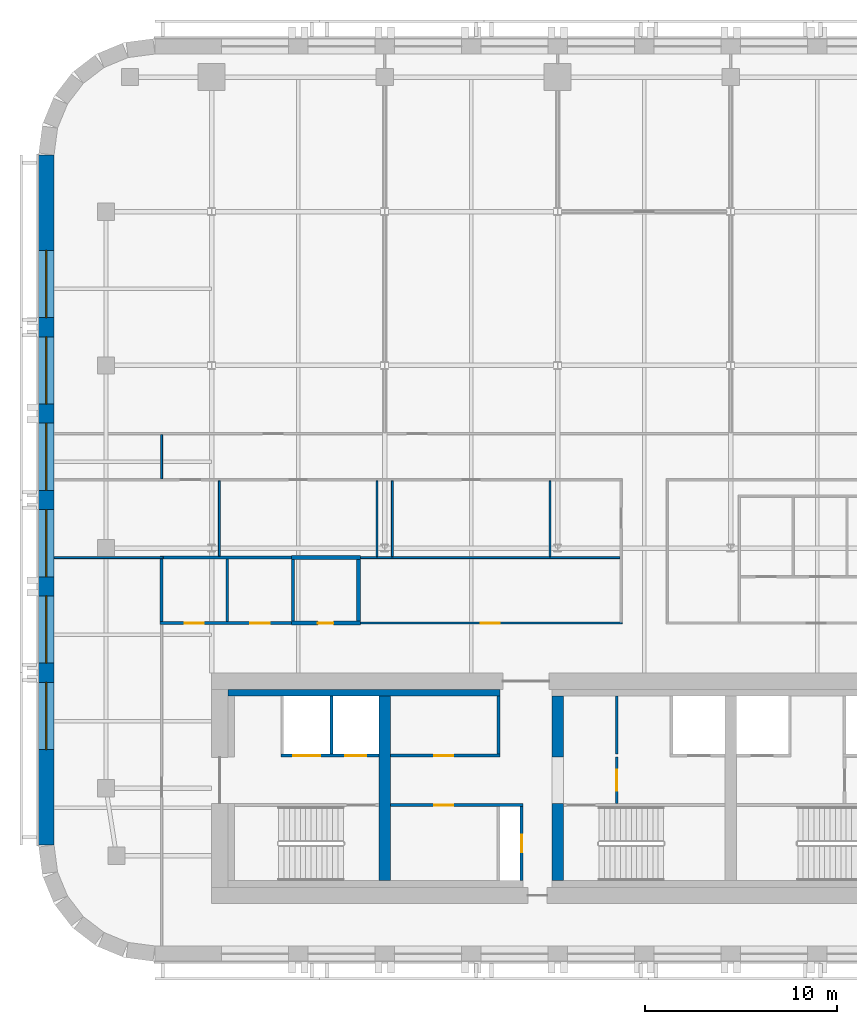
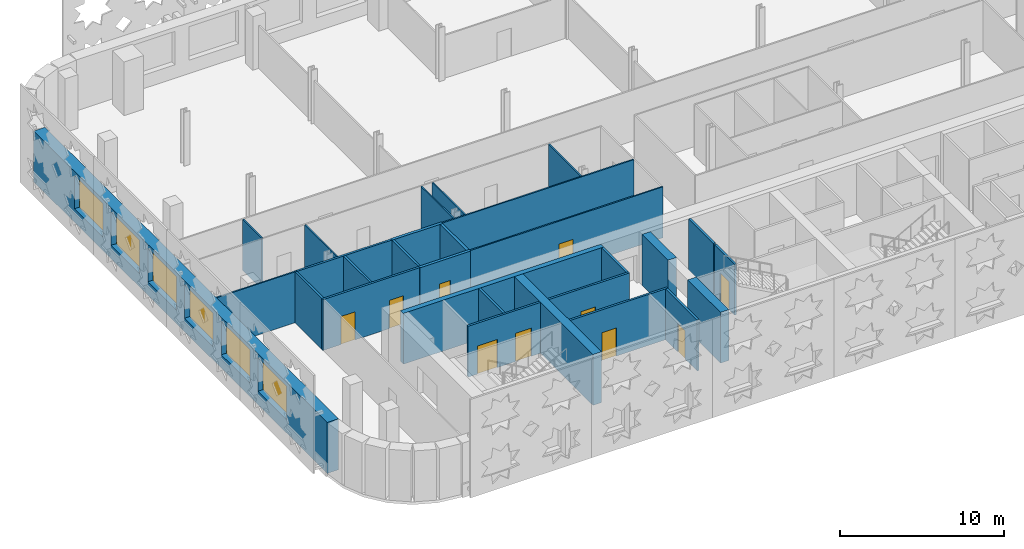
# One storey, part 3 of 12: 29 walls, 10 doors, 6 windows, 16 openings.
"""IFC4 building model written with IfcOpenShell, lengths in metres."""

from ifc_helpers import new_model, si_unit, direction, frame, frame_2d, origin, place, context, subcontext, project, spatial, rectangle, extrude, material, layer, layer_set, type_object, element, fill, save


model = new_model("IFC4")

# Units and contexts
model_context = context("Model", 3, precision=1e-05, world=origin(), true_north=direction((0.0, 1.0)))
body_context = subcontext(model_context, "Body", "Model", "MODEL_VIEW")
ifc_project = project(units=[si_unit("LENGTHUNIT", "METRE"), si_unit("AREAUNIT", "SQUARE_METRE"), si_unit("VOLUMEUNIT", "CUBIC_METRE"), si_unit("PLANEANGLEUNIT", "RADIAN"), si_unit("MASSUNIT", "GRAM", prefix="KILO")], contexts=[model_context])

# Site, building, storey
site_placement = place(None, origin())
site = spatial("IfcSite", under=ifc_project, at=site_placement, CompositionType="ELEMENT")
building_placement = place(site_placement, origin())
building = spatial("IfcBuilding", under=site, at=building_placement, Name="Zellij Exchange Tower", CompositionType="ELEMENT")
storey_placement = place(building_placement, frame((0.0, 0.0, 196.5)))
storey = spatial("IfcBuildingStorey", under=building, at=storey_placement, Name="L45", CompositionType="ELEMENT", Elevation=196.5)

# Walls
ifc_material_1 = material(Name="Concrete C60/75", Category="concrete")
ifc_layer_1 = layer(ifc_material_1, 0.60009765625)
ifc_layer_set_1 = layer_set([ifc_layer_1], Name="Concrete C60/75")
wall_type_1 = type_object("IfcWallType", Name="CORE-CW 600 C60/75", PredefinedType="SHEAR", material=ifc_layer_set_1)
wall_1_placement = place(storey_placement, frame((-18.0, -12.800048828125, 0.0), z_axis=(0.0, 0.0, 1.0), x_axis=(0.0, 1.0, 0.0)))
element("IfcWall", 1, at=wall_1_placement, inside=storey, type_object=wall_type_1, Name="Core cross wall x -18 L45", PredefinedType="SHEAR", context=body_context, shape_type="SweptSolid", body=[
    extrude(rectangle(XDim=9.60009765625, YDim=0.60009765625, at=frame_2d((4.800048828125, 0.0))), origin(), (0.0, 0.0, 1.0), 3.800048828125),
])
wall_2_placement = place(storey_placement, frame((-9.0, -12.800048828125, 0.0), z_axis=(0.0, 0.0, 1.0), x_axis=(0.0, 1.0, 0.0)))
element("IfcWall", 2, at=wall_2_placement, inside=storey, type_object=wall_type_1, Name="Core cross wall pier x -9 a L45", PredefinedType="SHEAR", context=body_context, shape_type="SweptSolid", body=[
    extrude(rectangle(XDim=4.0, YDim=0.60009765625, at=frame_2d((2.0, 0.0))), origin(), (0.0, 0.0, 1.0), 3.800048828125),
])
wall_3_placement = place(storey_placement, frame((-9.0, -6.375, 0.0), z_axis=(0.0, 0.0, 1.0), x_axis=(0.0, 1.0, 0.0)))
element("IfcWall", 3, at=wall_3_placement, inside=storey, type_object=wall_type_1, Name="Core cross wall pier x -9 b L45", PredefinedType="SHEAR", context=body_context, shape_type="SweptSolid", body=[
    extrude(rectangle(XDim=3.175048828125, YDim=0.60009765625, at=frame_2d((1.58740234375, 0.0))), origin(), (0.0, 0.0, 1.0), 3.800048828125),
])
ifc_material_2 = material(Name="Concrete C30/37", Category="concrete")
ifc_layer_2 = layer(ifc_material_2, 0.35009765625)
ifc_layer_set_2 = layer_set([ifc_layer_2], Name="Concrete C30/37")
wall_type_2 = type_object("IfcWallType", Name="CORE-LW 350 C30/37", PredefinedType="SHEAR", material=ifc_layer_set_2)
wall_4_placement = place(storey_placement, frame((-26.14990234375, -3.02490234375, 0.0), z_axis=(0.0, 0.0, 1.0), x_axis=(1.0, 0.0, 0.0)))
element("IfcWall", 4, at=wall_4_placement, inside=storey, type_object=wall_type_2, Name="Core wall lining front.0 L45", PredefinedType="SHEAR", context=body_context, shape_type="SweptSolid", body=[
    extrude(rectangle(XDim=14.14990234375, YDim=0.35009765625, at=frame_2d((7.074951171875, 0.0))), origin(), (0.0, 0.0, 1.0), 3.800048828125),
])

# Wall, opening, door
ifc_material_3 = material(Name="Gypsum shaft wall system")
ifc_layer_3 = layer(ifc_material_3, 0.14990234375)
ifc_layer_set_3 = layer_set([ifc_layer_3], Name="Gypsum shaft wall system")
wall_type_3 = type_object("IfcWallType", Name="CORE-PW 150 Firefighting lobby wall", PredefinedType="PARTITIONING", material=ifc_layer_set_3)
wall_5_placement = place(storey_placement, frame((-5.925048828125, -8.800048828125, 0.0), z_axis=(0.0, 0.0, 1.0), x_axis=(0.0, 1.0, 0.0)))
wall_5 = element("IfcWall", 5, at=wall_5_placement, inside=storey, type_object=wall_type_3, Name="Firefighting lobby wall L45", PredefinedType="PARTITIONING", context=body_context, shape_type="SweptSolid", body=[
    extrude(rectangle(XDim=2.425048828125, YDim=0.14990234375, at=frame_2d((1.21240234375, 0.0))), origin(), (0.0, 0.0, 1.0), 3.800048828125),
])
opening_1_placement = place(wall_5_placement, frame((0.662109375, 0.0, 0.0)))
opening_1 = element("IfcOpeningElement", 6, at=opening_1_placement, cuts=wall_5, Name="Opening CA-24.11", PredefinedType="OPENING", context=body_context, shape_type="SweptSolid", body=[
    extrude(rectangle(XDim=1.10009765625, YDim=2.10009765625, at=frame_2d((0.550048828125, 1.050048828125))), frame((0.0, 0.0869140625, 0.0), z_axis=(0.0, -1.0, 0.0), x_axis=(1.0, 0.0, 0.0)), (0.0, 0.0, 1.0), 0.173828125),
])
ifc_material_4 = material(Name="Hollow metal fire door")
door_type_1 = type_object("IfcDoorType", Name="CORE-D F Firefighting lobby door 1100x2100 1 HR", OperationType="NOTDEFINED", PredefinedType="DOOR", material=ifc_material_4)
door_1_placement = place(opening_1_placement, origin())
door_1 = element("IfcDoor", 7, at=door_1_placement, inside=storey, type_object=door_type_1, Name="Firefighting lobby door CA-24.11", OperationType="SINGLE_SWING_LEFT", OverallHeight=2.10009765625, OverallWidth=1.10009765625, PredefinedType="DOOR", context=body_context, shape_type="SweptSolid", body=[
    extrude(rectangle(XDim=1.10009765625, YDim=2.10009765625, at=frame_2d((0.550048828125, 1.050048828125))), frame((0.0, 0.02490234375, 0.0), z_axis=(0.0, -1.0, 0.0), x_axis=(1.0, 0.0, 0.0)), (0.0, 0.0, 1.0), 0.050048828125),
])
fill(opening_1, door_1)

# Walls
ifc_material_5 = material(Name="Gypsum board partition")
ifc_layer_4 = layer(ifc_material_5, 0.14990234375)
ifc_layer_set_4 = layer_set([ifc_layer_4], Name="Gypsum board partition")
wall_type_4 = type_object("IfcWallType", Name="CORE-PW 150 Lift lobby wall", PredefinedType="PARTITIONING", material=ifc_layer_set_4)
for number, where, z_axis, x_axis, name in (
    (8, (-12.074951171875, -6.22509765625, 0.0), (0.0, 0.0, 1.0), (0.0, 1.0, 0.0), "Lift lobby wall L45"),
    (9, (-5.925048828125, -6.22509765625, 0.0), (0.0, 0.0, 1.0), (0.0, 1.0, 0.0), "Lift lobby wall L45"),
):
    element("IfcWall", number, at=place(storey_placement, frame(where, z_axis=z_axis, x_axis=x_axis)), inside=storey, type_object=wall_type_4, Name=name, PredefinedType="PARTITIONING", context=body_context, shape_type="SweptSolid", body=[
        extrude(rectangle(XDim=3.025146484375, YDim=0.14990234375, at=frame_2d((1.5126953125, 0.0))), origin(), (0.0, 0.0, 1.0), 3.800048828125),
    ])

# Wall, opening, door
wall_6_placement = place(storey_placement, frame((-10.875, -12.800048828125, 0.0), z_axis=(0.0, 0.0, 1.0), x_axis=(0.0, 1.0, 0.0)))
wall_6 = element("IfcWall", 10, at=wall_6_placement, inside=storey, type_object=wall_type_4, Name="Lift lobby wall L45", PredefinedType="PARTITIONING", context=body_context, shape_type="SweptSolid", body=[
    extrude(rectangle(XDim=3.85009765625, YDim=0.14990234375, at=frame_2d((1.925048828125, 0.0))), origin(), (0.0, 0.0, 1.0), 3.800048828125),
])
opening_2_placement = place(wall_6_placement, frame((1.47509765625, 0.0, 0.0)))
opening_2 = element("IfcOpeningElement", 11, at=opening_2_placement, cuts=wall_6, Name="Opening CA-24.07", PredefinedType="OPENING", context=body_context, shape_type="SweptSolid", body=[
    extrude(rectangle(XDim=0.89990234375, YDim=2.10009765625, at=frame_2d((0.449951171875, 1.050048828125))), frame((0.0, 0.0869140625, 0.0), z_axis=(0.0, -1.0, 0.0), x_axis=(1.0, 0.0, 0.0)), (0.0, 0.0, 1.0), 0.173828125),
])
door_type_2 = type_object("IfcDoorType", Name="CORE-D RD Riser door 900x2100 1.5 HR", OperationType="NOTDEFINED", PredefinedType="DOOR", material=ifc_material_4)
door_2_placement = place(opening_2_placement, origin())
door_2 = element("IfcDoor", 12, at=door_2_placement, inside=storey, type_object=door_type_2, Name="Riser door CA-24.07", OperationType="SINGLE_SWING_RIGHT", OverallHeight=2.10009765625, OverallWidth=0.89990234375, PredefinedType="DOOR", context=body_context, shape_type="SweptSolid", body=[
    extrude(rectangle(XDim=0.89990234375, YDim=2.10009765625, at=frame_2d((0.449951171875, 1.050048828125))), frame((0.0, 0.02490234375, 0.0), z_axis=(0.0, -1.0, 0.0), x_axis=(1.0, 0.0, 0.0)), (0.0, 0.0, 1.0), 0.050048828125),
])
fill(opening_2, door_2)

wall_7_placement = place(storey_placement, frame((-17.699951171875, -6.300048828125, 0.0), z_axis=(0.0, 0.0, 1.0), x_axis=(1.0, 0.0, 0.0)))
wall_7 = element("IfcWall", 13, at=wall_7_placement, inside=storey, type_object=wall_type_4, Name="Lift lobby wall L45", PredefinedType="PARTITIONING", context=body_context, shape_type="SweptSolid", body=[
    extrude(rectangle(XDim=5.699951171875, YDim=0.14990234375, at=frame_2d((2.85009765625, 0.0))), origin(), (0.0, 0.0, 1.0), 3.800048828125),
])
opening_3_placement = place(wall_7_placement, frame((2.27490234375, 0.0, 0.0)))
opening_3 = element("IfcOpeningElement", 14, at=opening_3_placement, cuts=wall_7, Name="Opening CA-24.06", PredefinedType="OPENING", context=body_context, shape_type="SweptSolid", body=[
    extrude(rectangle(XDim=1.0, YDim=2.10009765625, at=frame_2d((0.5, 1.050048828125))), frame((0.0, 0.0869140625, 0.0), z_axis=(0.0, -1.0, 0.0), x_axis=(1.0, 0.0, 0.0)), (0.0, 0.0, 1.0), 0.173828125),
])
door_type_3 = type_object("IfcDoorType", Name="CORE-D CD Core room door 1000x2100 1 HR", OperationType="NOTDEFINED", PredefinedType="DOOR", material=ifc_material_4)
door_3_placement = place(opening_3_placement, origin())
door_3 = element("IfcDoor", 15, at=door_3_placement, inside=storey, type_object=door_type_3, Name="Core room door CA-24.06", OperationType="SINGLE_SWING_LEFT", OverallHeight=2.10009765625, OverallWidth=1.0, PredefinedType="DOOR", context=body_context, shape_type="SweptSolid", body=[
    extrude(rectangle(XDim=1.0, YDim=2.10009765625, at=frame_2d((0.5, 1.050048828125))), frame((0.0, 0.02490234375, 0.0), z_axis=(0.0, -1.0, 0.0), x_axis=(1.0, 0.0, 0.0)), (0.0, 0.0, 1.0), 0.050048828125),
])
fill(opening_3, door_3)

wall_8_placement = place(storey_placement, frame((-17.699951171875, -8.875, 0.0), z_axis=(0.0, 0.0, 1.0), x_axis=(1.0, 0.0, 0.0)))
wall_8 = element("IfcWall", 16, at=wall_8_placement, inside=storey, type_object=wall_type_4, Name="Lift lobby wall L45", PredefinedType="PARTITIONING", context=body_context, shape_type="SweptSolid", body=[
    extrude(rectangle(XDim=6.89990234375, YDim=0.14990234375, at=frame_2d((3.449951171875, 0.0))), origin(), (0.0, 0.0, 1.0), 3.800048828125),
])
opening_4_placement = place(wall_8_placement, frame((2.27490234375, 0.0, 0.0)))
opening_4 = element("IfcOpeningElement", 17, at=opening_4_placement, cuts=wall_8, Name="Opening CA-24.05", PredefinedType="OPENING", context=body_context, shape_type="SweptSolid", body=[
    extrude(rectangle(XDim=1.0, YDim=2.10009765625, at=frame_2d((0.5, 1.050048828125))), frame((0.0, 0.0869140625, 0.0), z_axis=(0.0, -1.0, 0.0), x_axis=(1.0, 0.0, 0.0)), (0.0, 0.0, 1.0), 0.173828125),
])
door_4_placement = place(opening_4_placement, origin())
door_4 = element("IfcDoor", 18, at=door_4_placement, inside=storey, type_object=door_type_3, Name="Core room door CA-24.05", OperationType="SINGLE_SWING_RIGHT", OverallHeight=2.10009765625, OverallWidth=1.0, PredefinedType="DOOR", context=body_context, shape_type="SweptSolid", body=[
    extrude(rectangle(XDim=1.0, YDim=2.10009765625, at=frame_2d((0.5, 1.050048828125))), frame((0.0, 0.02490234375, 0.0), z_axis=(0.0, -1.0, 0.0), x_axis=(1.0, 0.0, 0.0)), (0.0, 0.0, 1.0), 0.050048828125),
])
fill(opening_4, door_4)

# Wall
ifc_layer_5 = layer(ifc_material_3, 0.14990234375)
ifc_layer_set_5 = layer_set([ifc_layer_5], Name="Gypsum shaft wall system")
wall_type_5 = type_object("IfcWallType", Name="CORE-PW 150 Lift shaft wall", PredefinedType="PARTITIONING", material=ifc_layer_set_5)
wall_9_placement = place(storey_placement, frame((-20.77490234375, -6.22509765625, 0.0), z_axis=(0.0, 0.0, 1.0), x_axis=(0.0, 1.0, 0.0)))
element("IfcWall", 19, at=wall_9_placement, inside=storey, type_object=wall_type_5, Name="Lift shaft wall L45", PredefinedType="PARTITIONING", context=body_context, shape_type="SweptSolid", body=[
    extrude(rectangle(XDim=3.025146484375, YDim=0.14990234375, at=frame_2d((1.5126953125, 0.0))), origin(), (0.0, 0.0, 1.0), 3.800048828125),
])

# Wall, openings, doors
wall_10_placement = place(storey_placement, frame((-23.39990234375, -6.300048828125, 0.0), z_axis=(0.0, 0.0, 1.0), x_axis=(1.0, 0.0, 0.0)))
wall_10 = element("IfcWall", 20, at=wall_10_placement, inside=storey, type_object=wall_type_5, Name="Lift shaft wall L45", PredefinedType="PARTITIONING", context=body_context, shape_type="SweptSolid", body=[
    extrude(rectangle(XDim=5.099853515625, YDim=0.14990234375, at=frame_2d((2.5498046875, 0.0))), origin(), (0.0, 0.0, 1.0), 3.800048828125),
])
opening_5_placement = place(wall_10_placement, frame((0.64990234375, 0.0, 0.0)))
opening_5 = element("IfcOpeningElement", 21, at=opening_5_placement, cuts=wall_10, Name="Opening CA-24.02", PredefinedType="OPENING", context=body_context, shape_type="SweptSolid", body=[
    extrude(rectangle(XDim=1.39990234375, YDim=2.10009765625, at=frame_2d((0.699951171875, 1.050048828125))), frame((0.0, 0.0869140625, 0.0), z_axis=(0.0, -1.0, 0.0), x_axis=(1.0, 0.0, 0.0)), (0.0, 0.0, 1.0), 0.173828125),
])
opening_6_placement = place(wall_10_placement, frame((3.35009765625, 0.0, 0.0)))
opening_6 = element("IfcOpeningElement", 22, at=opening_6_placement, cuts=wall_10, Name="Opening CA-24.03", PredefinedType="OPENING", context=body_context, shape_type="SweptSolid", body=[
    extrude(rectangle(XDim=1.10009765625, YDim=2.10009765625, at=frame_2d((0.550048828125, 1.050048828125))), frame((0.0, 0.0869140625, 0.0), z_axis=(0.0, -1.0, 0.0), x_axis=(1.0, 0.0, 0.0)), (0.0, 0.0, 1.0), 0.173828125),
])
door_type_4 = type_object("IfcDoorType", Name="CORE-D LD Lift landing door 1100x2100 1.5 HR", OperationType="NOTDEFINED", PredefinedType="DOOR", material=ifc_material_4)
door_5_placement = place(opening_6_placement, origin())
door_5 = element("IfcDoor", 23, at=door_5_placement, inside=storey, type_object=door_type_4, Name="Lift landing door CA-24.03", OperationType="SLIDING_TO_LEFT", OverallHeight=2.10009765625, OverallWidth=1.10009765625, PredefinedType="DOOR", context=body_context, shape_type="SweptSolid", body=[
    extrude(rectangle(XDim=1.10009765625, YDim=2.10009765625, at=frame_2d((0.550048828125, 1.050048828125))), frame((0.0, 0.02490234375, 0.0), z_axis=(0.0, -1.0, 0.0), x_axis=(1.0, 0.0, 0.0)), (0.0, 0.0, 1.0), 0.050048828125),
])
fill(opening_6, door_5)
door_type_5 = type_object("IfcDoorType", Name="CORE-D LD2 Service lift landing door 1400x2100 1.5 HR", OperationType="NOTDEFINED", PredefinedType="DOOR", material=ifc_material_4)
door_6_placement = place(opening_5_placement, origin())
door_6 = element("IfcDoor", 24, at=door_6_placement, inside=storey, type_object=door_type_5, Name="Service lift landing door CA-24.02", OperationType="SLIDING_TO_RIGHT", OverallHeight=2.10009765625, OverallWidth=1.39990234375, PredefinedType="DOOR", context=body_context, shape_type="SweptSolid", body=[
    extrude(rectangle(XDim=1.39990234375, YDim=2.10009765625, at=frame_2d((0.699951171875, 1.050048828125))), frame((0.0, 0.02490234375, 0.0), z_axis=(0.0, -1.0, 0.0), x_axis=(1.0, 0.0, 0.0)), (0.0, 0.0, 1.0), 0.050048828125),
])
fill(opening_5, door_6)

# Wall, openings, windows
ifc_material_6 = material(Name="Precast concrete C40/50", Category="concrete")
ifc_layer_6 = layer(ifc_material_6, 0.800048828125)
ifc_layer_set_6 = layer_set([ifc_layer_6], Name="Precast concrete C40/50")
wall_type_6 = type_object("IfcWallType", Name="ENV-EW1 Precast stone-piered wall 800", PredefinedType="SOLIDWALL", material=ifc_layer_set_6)
wall_11_placement = place(storey_placement, frame((-35.60009765625, 24.947509765625, 0.0), z_axis=(0.0, 0.0, 1.0), x_axis=(0.0, -1.0, 0.0)))
wall_11 = element("IfcWall", 25, at=wall_11_placement, inside=storey, type_object=wall_type_6, Name="fac.L45.21", PredefinedType="SOLIDWALL", context=body_context, shape_type="SweptSolid", body=[
    extrude(rectangle(XDim=35.89501953125, YDim=0.800048828125, at=frame_2d((17.947509765625, 0.0))), origin(), (0.0, 0.0, 1.0), 3.800048828125),
])
opening_7_placement = place(wall_11_placement, frame((4.9638671875, 0.0, 1.0)))
opening_7 = element("IfcOpeningElement", 26, at=opening_7_placement, cuts=wall_11, Name="Opening FZ3.31", PredefinedType="OPENING", context=body_context, shape_type="SweptSolid", body=[
    extrude(rectangle(XDim=3.5, YDim=2.5, at=frame_2d((1.75, 1.25))), frame((0.0, 0.412109375, 0.0), z_axis=(0.0, -1.0, 0.0), x_axis=(1.0, 0.0, 0.0)), (0.0, 0.0, 1.0), 0.823974609375),
])
opening_8_placement = place(wall_11_placement, frame((9.45751953125, 0.0, 1.0)))
opening_8 = element("IfcOpeningElement", 27, at=opening_8_placement, cuts=wall_11, Name="Opening FZ3.32", PredefinedType="OPENING", context=body_context, shape_type="SweptSolid", body=[
    extrude(rectangle(XDim=3.5, YDim=2.5, at=frame_2d((1.75, 1.25))), frame((0.0, 0.412109375, 0.0), z_axis=(0.0, -1.0, 0.0), x_axis=(1.0, 0.0, 0.0)), (0.0, 0.0, 1.0), 0.823974609375),
])
opening_9_placement = place(wall_11_placement, frame((13.950927734375, 0.0, 1.0)))
opening_9 = element("IfcOpeningElement", 28, at=opening_9_placement, cuts=wall_11, Name="Opening FZ3.33", PredefinedType="OPENING", context=body_context, shape_type="SweptSolid", body=[
    extrude(rectangle(XDim=3.5, YDim=2.5, at=frame_2d((1.75, 1.25))), frame((0.0, 0.412109375, 0.0), z_axis=(0.0, -1.0, 0.0), x_axis=(1.0, 0.0, 0.0)), (0.0, 0.0, 1.0), 0.823974609375),
])
opening_10_placement = place(wall_11_placement, frame((18.4443359375, 0.0, 1.0)))
opening_10 = element("IfcOpeningElement", 29, at=opening_10_placement, cuts=wall_11, Name="Opening FZ3.34", PredefinedType="OPENING", context=body_context, shape_type="SweptSolid", body=[
    extrude(rectangle(XDim=3.5, YDim=2.5, at=frame_2d((1.75, 1.25))), frame((0.0, 0.412109375, 0.0), z_axis=(0.0, -1.0, 0.0), x_axis=(1.0, 0.0, 0.0)), (0.0, 0.0, 1.0), 0.823974609375),
])
opening_11_placement = place(wall_11_placement, frame((22.937744140625, 0.0, 1.0)))
opening_11 = element("IfcOpeningElement", 30, at=opening_11_placement, cuts=wall_11, Name="Opening FZ3.35", PredefinedType="OPENING", context=body_context, shape_type="SweptSolid", body=[
    extrude(rectangle(XDim=3.5, YDim=2.5, at=frame_2d((1.75, 1.25))), frame((0.0, 0.412109375, 0.0), z_axis=(0.0, -1.0, 0.0), x_axis=(1.0, 0.0, 0.0)), (0.0, 0.0, 1.0), 0.823974609375),
])
opening_12_placement = place(wall_11_placement, frame((27.43115234375, 0.0, 1.0)))
opening_12 = element("IfcOpeningElement", 31, at=opening_12_placement, cuts=wall_11, Name="Opening FZ3.36", PredefinedType="OPENING", context=body_context, shape_type="SweptSolid", body=[
    extrude(rectangle(XDim=3.5, YDim=2.5, at=frame_2d((1.75, 1.25))), frame((0.0, 0.412109375, 0.0), z_axis=(0.0, -1.0, 0.0), x_axis=(1.0, 0.0, 0.0)), (0.0, 0.0, 1.0), 0.823974609375),
])
ifc_material_7 = material(Name="Aluminium frame with insulating glass", Category="aluminium")
window_type = type_object("IfcWindowType", Name="ENV-W1 Window 3500x2500", PartitioningType="SINGLE_PANEL", PredefinedType="WINDOW", material=ifc_material_7)
window_1_placement = place(opening_7_placement, origin())
window_1 = element("IfcWindow", 32, at=window_1_placement, inside=storey, type_object=window_type, Name="Window FZ3.31", OverallHeight=2.5, OverallWidth=3.5, PartitioningType="SINGLE_PANEL", PredefinedType="WINDOW", context=body_context, shape_type="SweptSolid", body=[
    extrude(rectangle(XDim=3.5, YDim=2.5, at=frame_2d((1.75, 1.25))), frame((0.0, 0.030029296875, 0.0), z_axis=(0.0, -1.0, 0.0), x_axis=(1.0, 0.0, 0.0)), (0.0, 0.0, 1.0), 0.06005859375),
])
fill(opening_7, window_1)
window_2_placement = place(opening_8_placement, origin())
window_2 = element("IfcWindow", 33, at=window_2_placement, inside=storey, type_object=window_type, Name="Window FZ3.32", OverallHeight=2.5, OverallWidth=3.5, PartitioningType="SINGLE_PANEL", PredefinedType="WINDOW", context=body_context, shape_type="SweptSolid", body=[
    extrude(rectangle(XDim=3.5, YDim=2.5, at=frame_2d((1.75, 1.25))), frame((0.0, 0.030029296875, 0.0), z_axis=(0.0, -1.0, 0.0), x_axis=(1.0, 0.0, 0.0)), (0.0, 0.0, 1.0), 0.06005859375),
])
fill(opening_8, window_2)
window_3_placement = place(opening_9_placement, origin())
window_3 = element("IfcWindow", 34, at=window_3_placement, inside=storey, type_object=window_type, Name="Window FZ3.33", OverallHeight=2.5, OverallWidth=3.5, PartitioningType="SINGLE_PANEL", PredefinedType="WINDOW", context=body_context, shape_type="SweptSolid", body=[
    extrude(rectangle(XDim=3.5, YDim=2.5, at=frame_2d((1.75, 1.25))), frame((0.0, 0.030029296875, 0.0), z_axis=(0.0, -1.0, 0.0), x_axis=(1.0, 0.0, 0.0)), (0.0, 0.0, 1.0), 0.06005859375),
])
fill(opening_9, window_3)
window_4_placement = place(opening_10_placement, origin())
window_4 = element("IfcWindow", 35, at=window_4_placement, inside=storey, type_object=window_type, Name="Window FZ3.34", OverallHeight=2.5, OverallWidth=3.5, PartitioningType="SINGLE_PANEL", PredefinedType="WINDOW", context=body_context, shape_type="SweptSolid", body=[
    extrude(rectangle(XDim=3.5, YDim=2.5, at=frame_2d((1.75, 1.25))), frame((0.0, 0.030029296875, 0.0), z_axis=(0.0, -1.0, 0.0), x_axis=(1.0, 0.0, 0.0)), (0.0, 0.0, 1.0), 0.06005859375),
])
fill(opening_10, window_4)
window_5_placement = place(opening_11_placement, origin())
window_5 = element("IfcWindow", 36, at=window_5_placement, inside=storey, type_object=window_type, Name="Window FZ3.35", OverallHeight=2.5, OverallWidth=3.5, PartitioningType="SINGLE_PANEL", PredefinedType="WINDOW", context=body_context, shape_type="SweptSolid", body=[
    extrude(rectangle(XDim=3.5, YDim=2.5, at=frame_2d((1.75, 1.25))), frame((0.0, 0.030029296875, 0.0), z_axis=(0.0, -1.0, 0.0), x_axis=(1.0, 0.0, 0.0)), (0.0, 0.0, 1.0), 0.06005859375),
])
fill(opening_11, window_5)
window_6_placement = place(opening_12_placement, origin())
window_6 = element("IfcWindow", 37, at=window_6_placement, inside=storey, type_object=window_type, Name="Window FZ3.36", OverallHeight=2.5, OverallWidth=3.5, PartitioningType="SINGLE_PANEL", PredefinedType="WINDOW", context=body_context, shape_type="SweptSolid", body=[
    extrude(rectangle(XDim=3.5, YDim=2.5, at=frame_2d((1.75, 1.25))), frame((0.0, 0.030029296875, 0.0), z_axis=(0.0, -1.0, 0.0), x_axis=(1.0, 0.0, 0.0)), (0.0, 0.0, 1.0), 0.06005859375),
])
fill(opening_12, window_6)

# Wall, opening, door
ifc_material_8 = material(Name="Blockwork partition", Category="masonry")
ifc_layer_7 = layer(ifc_material_8, 0.199951171875)
ifc_layer_set_7 = layer_set([ifc_layer_7], Name="Blockwork partition")
wall_type_7 = type_object("IfcWallType", Name="FIT-BLOCKWORK-200", PredefinedType="PARTITIONING", material=ifc_layer_set_7)
wall_12_placement = place(storey_placement, frame((-22.844970703125, 0.60009765625, 0.0), z_axis=(0.0, 0.0, 1.0), x_axis=(1.0, 0.0, 0.0)))
wall_12 = element("IfcWall", 38, at=wall_12_placement, inside=storey, type_object=wall_type_7, Name="FIT-BLOCKWORK-200 008", PredefinedType="PARTITIONING", context=body_context, shape_type="SweptSolid", body=[
    extrude(rectangle(XDim=3.5849609375, YDim=0.199951171875, at=frame_2d((1.79248046875, 0.0))), origin(), (0.0, 0.0, 1.0), 3.800048828125),
])
opening_13_placement = place(wall_12_placement, frame((1.3740234375, 0.0, 0.0)))
opening_13 = element("IfcOpeningElement", 39, at=opening_13_placement, cuts=wall_12, Name="Opening O3D.06", PredefinedType="OPENING", context=body_context, shape_type="SweptSolid", body=[
    extrude(rectangle(XDim=0.800048828125, YDim=2.10009765625, at=frame_2d((0.39990234375, 1.050048828125))), frame((0.0, 0.11181640625, 0.0), z_axis=(0.0, -1.0, 0.0), x_axis=(1.0, 0.0, 0.0)), (0.0, 0.0, 1.0), 0.223876953125),
])
ifc_material_9 = material(Name="Timber door set", Category="wood")
door_type_6 = type_object("IfcDoorType", Name="FIT-D6-SERVICE-800X2100", OperationType="SINGLE_SWING_LEFT", PredefinedType="DOOR", material=ifc_material_9)
door_7_placement = place(opening_13_placement, origin())
door_7 = element("IfcDoor", 40, at=door_7_placement, inside=storey, type_object=door_type_6, Name="Door O3D.06", OperationType="SINGLE_SWING_RIGHT", OverallHeight=2.10009765625, OverallWidth=0.800048828125, PredefinedType="DOOR", context=body_context, shape_type="SweptSolid", body=[
    extrude(rectangle(XDim=0.800048828125, YDim=2.10009765625, at=frame_2d((0.39990234375, 1.050048828125))), frame((0.0, 0.02490234375, 0.0), z_axis=(0.0, -1.0, 0.0), x_axis=(1.0, 0.0, 0.0)), (0.0, 0.0, 1.0), 0.050048828125),
])
fill(opening_13, door_7)

# Walls
wall_13_placement = place(storey_placement, frame((-19.360107421875, 0.699951171875, 0.0), z_axis=(0.0, 0.0, 1.0), x_axis=(0.0, 1.0, 0.0)))
element("IfcWall", 41, at=wall_13_placement, inside=storey, type_object=wall_type_7, Name="FIT-BLOCKWORK-200 011", PredefinedType="PARTITIONING", context=body_context, shape_type="SweptSolid", body=[
    extrude(rectangle(XDim=3.199951171875, YDim=0.199951171875, at=frame_2d((1.60009765625, 0.0))), origin(), (0.0, 0.0, 1.0), 3.800048828125),
])
wall_14_placement = place(storey_placement, frame((-22.844970703125, 4.0, 0.0), z_axis=(0.0, 0.0, 1.0), x_axis=(1.0, 0.0, 0.0)))
element("IfcWall", 42, at=wall_14_placement, inside=storey, type_object=wall_type_7, Name="FIT-BLOCKWORK-200 026", PredefinedType="PARTITIONING", context=body_context, shape_type="SweptSolid", body=[
    extrude(rectangle(XDim=3.5849609375, YDim=0.199951171875, at=frame_2d((1.79248046875, 0.0))), origin(), (0.0, 0.0, 1.0), 3.800048828125),
])

# Wall, opening, door
ifc_material_10 = material(Name="Gypsum board partition on steel studs", Category="steel")
ifc_layer_8 = layer(ifc_material_10, 0.10009765625)
ifc_layer_set_8 = layer_set([ifc_layer_8], Name="Gypsum board partition on steel studs")
wall_type_8 = type_object("IfcWallType", Name="FIT-PARTITION-100", PredefinedType="PARTITIONING", material=ifc_layer_set_8)
wall_15_placement = place(storey_placement, frame((-19.4599609375, 0.60009765625, 0.0), z_axis=(0.0, 0.0, 1.0), x_axis=(1.0, 0.0, 0.0)))
wall_15 = element("IfcWall", 43, at=wall_15_placement, inside=storey, type_object=wall_type_8, Name="FIT-PARTITION-100 010", PredefinedType="PARTITIONING", context=body_context, shape_type="SweptSolid", body=[
    extrude(rectangle(XDim=13.81005859375, YDim=0.10009765625, at=frame_2d((6.905029296875, 0.0))), origin(), (0.0, 0.0, 1.0), 3.800048828125),
])
opening_14_placement = place(wall_15_placement, frame((6.452880859375, 0.0, 0.0)))
opening_14 = element("IfcOpeningElement", 44, at=opening_14_placement, cuts=wall_15, Name="Opening O3D.07", PredefinedType="OPENING", context=body_context, shape_type="SweptSolid", body=[
    extrude(rectangle(XDim=1.0, YDim=2.10009765625, at=frame_2d((0.5, 1.050048828125))), frame((0.0, 0.06201171875, 0.0), z_axis=(0.0, -1.0, 0.0), x_axis=(1.0, 0.0, 0.0)), (0.0, 0.0, 1.0), 0.1240234375),
])
door_type_7 = type_object("IfcDoorType", Name="FIT-D2-WIDE-1000X2100", OperationType="SINGLE_SWING_LEFT", PredefinedType="DOOR", material=ifc_material_9)
door_8_placement = place(opening_14_placement, origin())
door_8 = element("IfcDoor", 45, at=door_8_placement, inside=storey, type_object=door_type_7, Name="Door O3D.07", OperationType="SINGLE_SWING_LEFT", OverallHeight=2.10009765625, OverallWidth=1.0, PredefinedType="DOOR", context=body_context, shape_type="SweptSolid", body=[
    extrude(rectangle(XDim=1.0, YDim=2.10009765625, at=frame_2d((0.5, 1.050048828125))), frame((0.0, 0.02490234375, 0.0), z_axis=(0.0, -1.0, 0.0), x_axis=(1.0, 0.0, 0.0)), (0.0, 0.0, 1.0), 0.050048828125),
])
fill(opening_14, door_8)

# Walls
wall_16_placement = place(storey_placement, frame((-35.199951171875, 4.0, 0.0), z_axis=(0.0, 0.0, 1.0), x_axis=(1.0, 0.0, 0.0)))
element("IfcWall", 46, at=wall_16_placement, inside=storey, type_object=wall_type_8, Name="FIT-PARTITION-100 023", PredefinedType="PARTITIONING", context=body_context, shape_type="SweptSolid", body=[
    extrude(rectangle(XDim=5.675048828125, YDim=0.10009765625, at=frame_2d((2.83740234375, 0.0))), origin(), (0.0, 0.0, 1.0), 3.800048828125),
])
wall_17_placement = place(storey_placement, frame((-26.60009765625, 4.074951171875, 0.0), z_axis=(0.0, 0.0, 1.0), x_axis=(0.0, 1.0, 0.0)))
element("IfcWall", 47, at=wall_17_placement, inside=storey, type_object=wall_type_8, Name="FIT-PARTITION-100 025", PredefinedType="PARTITIONING", context=body_context, shape_type="SweptSolid", body=[
    extrude(rectangle(XDim=3.925048828125, YDim=0.10009765625, at=frame_2d((1.96240234375, 0.0))), origin(), (0.0, 0.0, 1.0), 3.800048828125),
])
wall_18_placement = place(storey_placement, frame((-19.4599609375, 4.0, 0.0), z_axis=(0.0, 0.0, 1.0), x_axis=(1.0, 0.0, 0.0)))
element("IfcWall", 48, at=wall_18_placement, inside=storey, type_object=wall_type_8, Name="FIT-PARTITION-100 027", PredefinedType="PARTITIONING", context=body_context, shape_type="SweptSolid", body=[
    extrude(rectangle(XDim=13.7099609375, YDim=0.10009765625, at=frame_2d((6.85498046875, 0.0))), origin(), (0.0, 0.0, 1.0), 3.800048828125),
])
for number, where, z_axis, x_axis, name in (
    (49, (-18.39990234375, 4.050048828125, 0.0), (0.0, 0.0, 1.0), (0.0, 1.0, 0.0), "FIT-PARTITION-100 028"),
    (50, (-17.60009765625, 4.050048828125, 0.0), (0.0, 0.0, 1.0), (0.0, 1.0, 0.0), "FIT-PARTITION-100 029"),
    (51, (-9.39990234375, 4.050048828125, 0.0), (0.0, 0.0, 1.0), (0.0, 1.0, 0.0), "FIT-PARTITION-100 030"),
):
    element("IfcWall", number, at=place(storey_placement, frame(where, z_axis=z_axis, x_axis=x_axis)), inside=storey, type_object=wall_type_8, Name=name, PredefinedType="PARTITIONING", context=body_context, shape_type="SweptSolid", body=[
        extrude(rectangle(XDim=3.949951171875, YDim=0.10009765625, at=frame_2d((1.97509765625, 0.0))), origin(), (0.0, 0.0, 1.0), 3.800048828125),
    ])
wall_19_placement = place(storey_placement, frame((-29.60009765625, 8.10009765625, 0.0), z_axis=(0.0, 0.0, 1.0), x_axis=(0.0, 1.0, 0.0)))
element("IfcWall", 52, at=wall_19_placement, inside=storey, type_object=wall_type_8, Name="FIT-PARTITION-100 033", PredefinedType="PARTITIONING", context=body_context, shape_type="SweptSolid", body=[
    extrude(rectangle(XDim=2.2998046875, YDim=0.10009765625, at=frame_2d((1.14990234375, 0.0))), origin(), (0.0, 0.0, 1.0), 3.800048828125),
])

# Wall, openings, doors
ifc_material_11 = material(Name="Gypsum board shaft-wall partition", Category="gypsum")
ifc_layer_9 = layer(ifc_material_11, 0.14990234375)
ifc_layer_set_9 = layer_set([ifc_layer_9], Name="Gypsum board shaft-wall partition")
wall_type_9 = type_object("IfcWallType", Name="FIT-PARTITION-150-EI60", PredefinedType="PARTITIONING", material=ifc_layer_set_9)
wall_20_placement = place(storey_placement, frame((-29.675048828125, 0.60009765625, 0.0), z_axis=(0.0, 0.0, 1.0), x_axis=(1.0, 0.0, 0.0)))
wall_20 = element("IfcWall", 53, at=wall_20_placement, inside=storey, type_object=wall_type_9, Name="FIT-PARTITION-150-EI60 005", PredefinedType="PARTITIONING", context=body_context, shape_type="SweptSolid", body=[
    extrude(rectangle(XDim=6.97998046875, YDim=0.14990234375, at=frame_2d((3.489990234375, 0.0))), origin(), (0.0, 0.0, 1.0), 3.800048828125),
])
opening_15_placement = place(wall_20_placement, frame((1.27490234375, 0.0, 0.0)))
opening_15 = element("IfcOpeningElement", 54, at=opening_15_placement, cuts=wall_20, Name="Opening O3D.04", PredefinedType="OPENING", context=body_context, shape_type="SweptSolid", body=[
    extrude(rectangle(XDim=1.0, YDim=2.10009765625, at=frame_2d((0.5, 1.050048828125))), frame((0.0, 0.0869140625, 0.0), z_axis=(0.0, -1.0, 0.0), x_axis=(1.0, 0.0, 0.0)), (0.0, 0.0, 1.0), 0.173828125),
])
opening_16_placement = place(wall_20_placement, frame((4.68896484375, 0.0, 0.0)))
opening_16 = element("IfcOpeningElement", 55, at=opening_16_placement, cuts=wall_20, Name="Opening O3D.05", PredefinedType="OPENING", context=body_context, shape_type="SweptSolid", body=[
    extrude(rectangle(XDim=1.0, YDim=2.10009765625, at=frame_2d((0.5, 1.050048828125))), frame((0.0, 0.0869140625, 0.0), z_axis=(0.0, -1.0, 0.0), x_axis=(1.0, 0.0, 0.0)), (0.0, 0.0, 1.0), 0.173828125),
])
ifc_material_12 = material(Name="Steel fire door set", Category="steel")
door_type_8 = type_object("IfcDoorType", Name="FIT-D4-FIRE-1000X2100", OperationType="SINGLE_SWING_LEFT", PredefinedType="DOOR", material=ifc_material_12)
door_9_placement = place(opening_15_placement, origin())
door_9 = element("IfcDoor", 56, at=door_9_placement, inside=storey, type_object=door_type_8, Name="Door O3D.04", OperationType="SINGLE_SWING_LEFT", OverallHeight=2.10009765625, OverallWidth=1.0, PredefinedType="DOOR", context=body_context, shape_type="SweptSolid", body=[
    extrude(rectangle(XDim=1.0, YDim=2.10009765625, at=frame_2d((0.5, 1.050048828125))), frame((0.0, 0.02490234375, 0.0), z_axis=(0.0, -1.0, 0.0), x_axis=(1.0, 0.0, 0.0)), (0.0, 0.0, 1.0), 0.050048828125),
])
fill(opening_15, door_9)
door_10_placement = place(opening_16_placement, origin())
door_10 = element("IfcDoor", 57, at=door_10_placement, inside=storey, type_object=door_type_8, Name="Door O3D.05", OperationType="SINGLE_SWING_LEFT", OverallHeight=2.10009765625, OverallWidth=1.0, PredefinedType="DOOR", context=body_context, shape_type="SweptSolid", body=[
    extrude(rectangle(XDim=1.0, YDim=2.10009765625, at=frame_2d((0.5, 1.050048828125))), frame((0.0, 0.02490234375, 0.0), z_axis=(0.0, -1.0, 0.0), x_axis=(1.0, 0.0, 0.0)), (0.0, 0.0, 1.0), 0.050048828125),
])
fill(opening_16, door_10)

# Walls
for number, where, z_axis, x_axis, name in (
    (58, (-29.60009765625, 0.675048828125, 0.0), (0.0, 0.0, 1.0), (0.0, 1.0, 0.0), "FIT-PARTITION-150-EI60 006"),
    (59, (-26.18994140625, 0.675048828125, 0.0), (0.0, 0.0, 1.0), (0.0, 1.0, 0.0), "FIT-PARTITION-150-EI60 007"),
):
    element("IfcWall", number, at=place(storey_placement, frame(where, z_axis=z_axis, x_axis=x_axis)), inside=storey, type_object=wall_type_9, Name=name, PredefinedType="PARTITIONING", context=body_context, shape_type="SweptSolid", body=[
        extrude(rectangle(XDim=3.25, YDim=0.14990234375, at=frame_2d((1.625, 0.0))), origin(), (0.0, 0.0, 1.0), 3.800048828125),
    ])
wall_21_placement = place(storey_placement, frame((-22.77001953125, 0.699951171875, 0.0), z_axis=(0.0, 0.0, 1.0), x_axis=(0.0, 1.0, 0.0)))
element("IfcWall", 60, at=wall_21_placement, inside=storey, type_object=wall_type_9, Name="FIT-PARTITION-150-EI60 009", PredefinedType="PARTITIONING", context=body_context, shape_type="SweptSolid", body=[
    extrude(rectangle(XDim=3.199951171875, YDim=0.14990234375, at=frame_2d((1.60009765625, 0.0))), origin(), (0.0, 0.0, 1.0), 3.800048828125),
])
wall_22_placement = place(storey_placement, frame((-29.675048828125, 4.0, 0.0), z_axis=(0.0, 0.0, 1.0), x_axis=(1.0, 0.0, 0.0)))
element("IfcWall", 61, at=wall_22_placement, inside=storey, type_object=wall_type_9, Name="FIT-PARTITION-150-EI60 024", PredefinedType="PARTITIONING", context=body_context, shape_type="SweptSolid", body=[
    extrude(rectangle(XDim=6.97998046875, YDim=0.14990234375, at=frame_2d((3.489990234375, 0.0))), origin(), (0.0, 0.0, 1.0), 3.800048828125),
])

save(model, "model.ifc")
